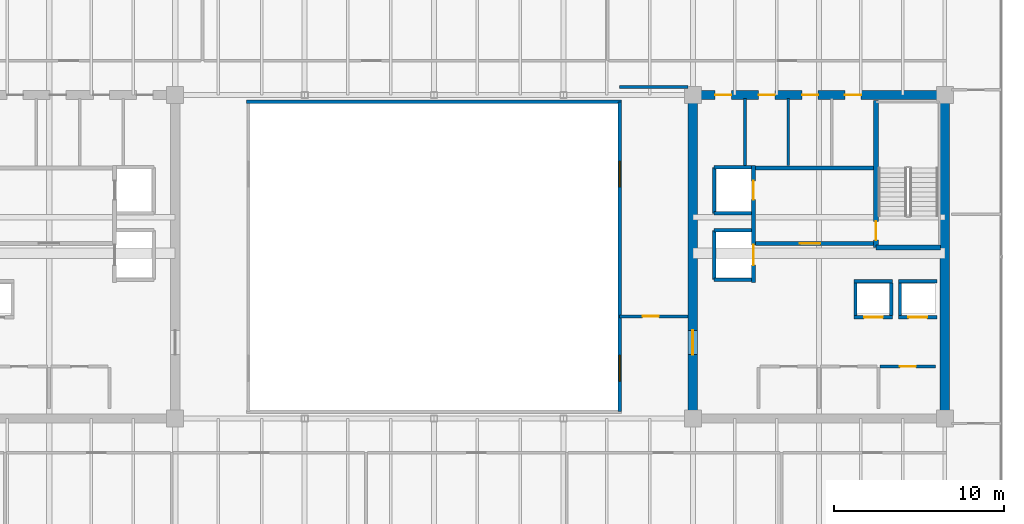
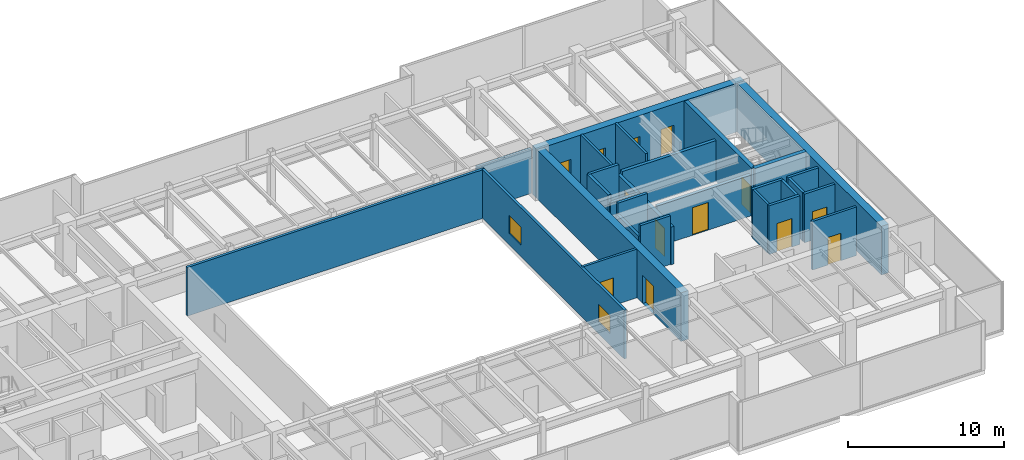
# One storey, part 30 of 33: 28 walls, 13 doors, 2 windows, 15 openings.
"""IFC4 building model written with IfcOpenShell, lengths in metres."""

from ifc_helpers import new_model, si_unit, direction, frame, frame_2d, origin, place, context, subcontext, project, spatial, rectangle, extrude, source, transform, mapped, material, layer, layer_set, type_object, type_shapes, element, fill, save


model = new_model("IFC4")

# Units and contexts
model_context = context("Model", 3, precision=1e-05, world=origin(), true_north=direction((0.0, 1.0)))
body_context = subcontext(model_context, "Body", "Model", "MODEL_VIEW")
ifc_project = project(units=[si_unit("LENGTHUNIT", "METRE"), si_unit("AREAUNIT", "SQUARE_METRE"), si_unit("VOLUMEUNIT", "CUBIC_METRE"), si_unit("PLANEANGLEUNIT", "RADIAN"), si_unit("MASSUNIT", "GRAM", prefix="KILO")], contexts=[model_context])

# Site, building, storey
site_placement = place(None, origin())
site = spatial("IfcSite", under=ifc_project, at=site_placement, CompositionType="ELEMENT")
building_placement = place(site_placement, origin())
building = spatial("IfcBuilding", under=site, at=building_placement, Name="Haelvirn Gate Laboratories", CompositionType="ELEMENT")
storey_placement = place(building_placement, frame((0.0, 0.0, 209.60009765625)))
storey = spatial("IfcBuildingStorey", under=building, at=storey_placement, Name="L50", CompositionType="ELEMENT", Elevation=209.60009765625)

# Wall
ifc_material_1 = material(Name="Fire-rated acoustic gypsum board partition", Category="gypsum")
ifc_layer_1 = layer(ifc_material_1, 0.175048828125, Name="IW-ACOUST-180")
ifc_layer_set_1 = layer_set([ifc_layer_1], Name="Fire-rated acoustic gypsum board partition")
wall_type_1 = type_object("IfcWallType", Name="IW-ACOUST-180", PredefinedType="PARTITIONING", material=ifc_layer_set_1)
wall_1_placement = place(storey_placement, frame((48.300048828125, 34.260009765625, 0.0), z_axis=(0.0, 0.0, 1.0), x_axis=(1.0, 0.0, 0.0)))
element("IfcWall", 1, at=wall_1_placement, inside=storey, type_object=wall_type_1, Name="L50 Interior Wall IW-L50-EPOD-N", PredefinedType="PARTITIONING", context=body_context, shape_type="SweptSolid", body=[
    extrude(rectangle(XDim=4.02490234375, YDim=0.175048828125, at=frame_2d((2.012451171875, 0.0))), origin(), (0.0, 0.0, 1.0), 3.48486328125),
])

# Wall, opening, door
wall_2_placement = place(storey_placement, frame((48.300048828125, 20.800048828125, 0.0), z_axis=(0.0, 0.0, 1.0), x_axis=(1.0, 0.0, 0.0)))
wall_2 = element("IfcWall", 2, at=wall_2_placement, inside=storey, type_object=wall_type_1, Name="L50 Interior Wall IW-L50-EPOD-S", PredefinedType="PARTITIONING", context=body_context, shape_type="SweptSolid", body=[
    extrude(rectangle(XDim=4.02490234375, YDim=0.175048828125, at=frame_2d((2.012451171875, 0.0))), origin(), (0.0, 0.0, 1.0), 3.7998046875),
])
opening_1_placement = place(wall_2_placement, frame((1.35009765625, 0.0, 0.0)))
opening_1 = element("IfcOpeningElement", 3, at=opening_1_placement, cuts=wall_2, Name="Opening FD4", PredefinedType="OPENING", context=body_context, shape_type="SweptSolid", body=[
    extrude(rectangle(XDim=0.949951171875, YDim=2.14990234375, at=frame_2d((0.47509765625, 1.074951171875))), frame((0.0, 0.09765625, 0.0), z_axis=(0.0, -1.0, 0.0), x_axis=(1.0, 0.0, 0.0)), (0.0, 0.0, 1.0), 0.195068359375),
])
ifc_material_2 = material(Name="Fire-rated steel SM355 core service door", Category="steel")
door_type_1 = type_object("IfcDoorType", Name="DR-FD-950", OperationType="NOTDEFINED", PredefinedType="DOOR", material=ifc_material_2)
shared_shape_1 = source(origin(), body_context, "Body", "SweptSolid", [
    extrude(rectangle(XDim=0.949951171875, YDim=2.14990234375, at=frame_2d((0.47509765625, 1.074951171875))), frame((0.0, 0.02490234375, 0.0), z_axis=(0.0, -1.0, 0.0), x_axis=(1.0, 0.0, 0.0)), (0.0, 0.0, 1.0), 0.050048828125),
])
type_shapes(door_type_1, [shared_shape_1])
door_1_placement = place(opening_1_placement, origin())
door_1 = element("IfcDoor", 4, at=door_1_placement, inside=storey, type_object=door_type_1, Name="L50 High-Zone Collaboration Suite Door", OperationType="SINGLE_SWING_LEFT", OverallHeight=2.14990234375, OverallWidth=0.949951171875, PredefinedType="DOOR", context=body_context, shape_type="MappedRepresentation", body=[
    mapped(shared_shape_1, transform((0.0, 0.0, 0.0), scale=1.0)),
])
fill(opening_1, door_1)

# Wall, openings, windows
ifc_material_3 = material(Name="Tempered fire-rated borosilicate glass & anodised aluminium", Category="aluminium")
ifc_layer_2 = layer(ifc_material_3, 0.195068359375, Name="IW-GLAZ-200")
ifc_layer_set_2 = layer_set([ifc_layer_2], Name="Tempered fire-rated borosilicate glass & anodised aluminium")
wall_type_2 = type_object("IfcWallType", Name="IW-GLAZ-200", PredefinedType="SOLIDWALL", material=ifc_layer_set_2)
wall_3_placement = place(storey_placement, frame((48.300048828125, 15.199951171875, 0.0), z_axis=(0.0, 0.0, 1.0), x_axis=(0.0, 1.0, 0.0)))
wall_3 = element("IfcWall", 5, at=wall_3_placement, inside=storey, type_object=wall_type_2, Name="L50 Interior Wall IW-L50-ATRIUM-E", PredefinedType="SOLIDWALL", context=body_context, shape_type="SweptSolid", body=[
    extrude(rectangle(XDim=18.199951171875, YDim=0.195068359375, at=frame_2d((9.10009765625, 0.0))), origin(), (0.0, 0.0, 1.0), 3.7998046875),
])
opening_2_placement = place(wall_3_placement, frame((1.800048828125, 0.0, 0.89990234375)))
opening_2 = element("IfcOpeningElement", 6, at=opening_2_placement, cuts=wall_3, Name="Opening W5", PredefinedType="OPENING", context=body_context, shape_type="SweptSolid", body=[
    extrude(rectangle(XDim=1.5, YDim=1.39990234375, at=frame_2d((0.75, 0.699951171875))), frame((0.0, 0.107421875, 0.0), z_axis=(0.0, -1.0, 0.0), x_axis=(1.0, 0.0, 0.0)), (0.0, 0.0, 1.0), 0.215087890625),
])
opening_3_placement = place(wall_3_placement, frame((13.199951171875, 0.0, 0.89990234375)))
opening_3 = element("IfcOpeningElement", 7, at=opening_3_placement, cuts=wall_3, Name="Opening W5", PredefinedType="OPENING", context=body_context, shape_type="SweptSolid", body=[
    extrude(rectangle(XDim=1.5, YDim=1.39990234375, at=frame_2d((0.75, 0.699951171875))), frame((0.0, 0.107421875, 0.0), z_axis=(0.0, -1.0, 0.0), x_axis=(1.0, 0.0, 0.0)), (0.0, 0.0, 1.0), 0.215087890625),
])
ifc_material_4 = material(Name="Fire-rated EI 120 borosilicate atrium vision glazing", Category="glass")
window_type = type_object("IfcWindowType", Name="WN-ATR-1500", PartitioningType="SINGLE_PANEL", PredefinedType="WINDOW", material=ifc_material_4)
shared_shape_2 = source(origin(), body_context, "Body", "SweptSolid", [
    extrude(rectangle(XDim=1.5, YDim=1.39990234375, at=frame_2d((0.75, 0.699951171875))), frame((0.0, 0.030029296875, 0.0), z_axis=(0.0, -1.0, 0.0), x_axis=(1.0, 0.0, 0.0)), (0.0, 0.0, 1.0), 0.06005859375),
])
type_shapes(window_type, [shared_shape_2])
window_1_placement = place(opening_2_placement, origin())
window_1 = element("IfcWindow", 8, at=window_1_placement, inside=storey, type_object=window_type, Name="L50 Atrium Observation Window 1", OverallHeight=1.39990234375, OverallWidth=1.5, PartitioningType="SINGLE_PANEL", PredefinedType="WINDOW", context=body_context, shape_type="MappedRepresentation", body=[
    mapped(shared_shape_2, transform((0.0, 0.0, 0.0), scale=1.0)),
])
fill(opening_2, window_1)
window_2_placement = place(opening_3_placement, origin())
window_2 = element("IfcWindow", 9, at=window_2_placement, inside=storey, type_object=window_type, Name="L50 Atrium Observation Window 2", OverallHeight=1.39990234375, OverallWidth=1.5, PartitioningType="SINGLE_PANEL", PredefinedType="WINDOW", context=body_context, shape_type="MappedRepresentation", body=[
    mapped(shared_shape_2, transform((0.0, 0.0, 0.0), scale=1.0)),
])
fill(opening_3, window_2)

# Walls
wall_4_placement = place(storey_placement, frame((26.39990234375, 33.39990234375, 0.0), z_axis=(0.0, 0.0, 1.0), x_axis=(1.0, 0.0, 0.0)))
element("IfcWall", 10, at=wall_4_placement, inside=storey, type_object=wall_type_2, Name="L50 Interior Wall IW-L50-ATRIUM-N", PredefinedType="SOLIDWALL", context=body_context, shape_type="SweptSolid", body=[
    extrude(rectangle(XDim=22.0, YDim=0.195068359375, at=frame_2d((11.0, 0.0))), origin(), (0.0, 0.0, 1.0), 3.7998046875),
])
ifc_material_5 = material(Name="Cement-board restroom plumbing chase wall", Category="gypsum")
ifc_layer_3 = layer(ifc_material_5, 0.155029296875, Name="IW-PLUMB-160")
ifc_layer_set_3 = layer_set([ifc_layer_3], Name="Cement-board restroom plumbing chase wall")
wall_type_3 = type_object("IfcWallType", Name="IW-PLUMB-160", PredefinedType="PLUMBINGWALL", material=ifc_layer_set_3)
for number, where, z_axis, x_axis, name in (
    (11, (58.2099609375, 29.64990234375, 0.0), (0.0, 0.0, 1.0), (0.0, 1.0, 0.0), "L50 Interior Wall IW-L50-E-CDIV-2"),
    (12, (55.659912109375, 29.64990234375, 0.0), (0.0, 0.0, 1.0), (0.0, 1.0, 0.0), "L50 Interior Wall IW-L50-E-CDIV-3"),
):
    element("IfcWall", number, at=place(storey_placement, frame(where, z_axis=z_axis, x_axis=x_axis)), inside=storey, type_object=wall_type_3, Name=name, PredefinedType="PLUMBINGWALL", context=body_context, shape_type="SweptSolid", body=[
        extrude(rectangle(XDim=3.93017578125, YDim=0.155029296875, at=frame_2d((1.965087890625, 0.0))), origin(), (0.0, 0.0, 1.0), 3.7998046875),
    ])
ifc_material_6 = material(Name="Concrete C40/50", Category="concrete")
ifc_layer_4 = layer(ifc_material_6, 0.179931640625, Name="IW-SHAFT-180")
ifc_layer_set_4 = layer_set([ifc_layer_4], Name="Concrete C40/50")
wall_type_4 = type_object("IfcWallType", Name="IW-SHAFT-180", PredefinedType="SOLIDWALL", material=ifc_layer_set_4)
for number, where, z_axis, x_axis, name in (
    (13, (64.75, 20.85009765625, 0.0), (0.0, 0.0, 1.0), (0.0, 1.0, 0.0), "L50 Interior Wall IW-L50-PL11-SD"),
    (14, (62.14990234375, 20.85009765625, 0.0), (0.0, 0.0, 1.0), (0.0, 1.0, 0.0), "L50 Interior Wall IW-L50-PL12-SD"),
    (15, (64.25, 20.85009765625, 0.0), (0.0, 0.0, 1.0), (0.0, 1.0, 0.0), "L50 Interior Wall IW-L50-PL12-SDE"),
):
    element("IfcWall", number, at=place(storey_placement, frame(where, z_axis=z_axis, x_axis=x_axis)), inside=storey, type_object=wall_type_4, Name=name, PredefinedType="SOLIDWALL", context=body_context, shape_type="SweptSolid", body=[
        extrude(rectangle(XDim=1.89990234375, YDim=0.179931640625, at=frame_2d((0.949951171875, 0.0))), origin(), (0.0, 0.0, 1.0), 3.7998046875),
    ])

# Wall, opening, door
wall_5_placement = place(storey_placement, frame((63.60009765625, 17.85009765625, 0.0), z_axis=(0.0, 0.0, 1.0), x_axis=(1.0, 0.0, 0.0)))
wall_5 = element("IfcWall", 16, at=wall_5_placement, inside=storey, type_object=wall_type_4, Name="L50 Interior Wall IW-L50-E-FREED-HN-1", PredefinedType="SOLIDWALL", context=body_context, shape_type="SweptSolid", body=[
    extrude(rectangle(XDim=3.25, YDim=0.179931640625, at=frame_2d((1.625, 0.0))), origin(), (0.0, 0.0, 1.0), 3.7998046875),
])
opening_4_placement = place(wall_5_placement, frame((1.14990234375, 0.0, 0.0)))
opening_4 = element("IfcOpeningElement", 17, at=opening_4_placement, cuts=wall_5, Name="Opening FD4", PredefinedType="OPENING", context=body_context, shape_type="SweptSolid", body=[
    extrude(rectangle(XDim=0.949951171875, YDim=2.14990234375, at=frame_2d((0.47509765625, 1.074951171875))), frame((0.0, 0.10009765625, 0.0), z_axis=(0.0, -1.0, 0.0), x_axis=(1.0, 0.0, 0.0)), (0.0, 0.0, 1.0), 0.199951171875),
])
door_2_placement = place(opening_4_placement, origin())
door_2 = element("IfcDoor", 18, at=door_2_placement, inside=storey, type_object=door_type_1, Name="L50 Autoclave Bio-Prep Room Door", OperationType="SINGLE_SWING_LEFT", OverallHeight=2.14990234375, OverallWidth=0.949951171875, PredefinedType="DOOR", context=body_context, shape_type="MappedRepresentation", body=[
    mapped(shared_shape_1, transform((0.0, 0.0, 0.0), scale=1.0)),
])
fill(opening_4, door_2)

ifc_layer_5 = layer(ifc_material_6, 0.199951171875, Name="IW-SHAFT-200")
ifc_layer_set_5 = layer_set([ifc_layer_5], Name="Concrete C40/50")
wall_type_5 = type_object("IfcWallType", Name="IW-SHAFT-200", PredefinedType="SOLIDWALL", material=ifc_layer_set_5)
wall_6_placement = place(storey_placement, frame((64.669921875, 20.75, 0.0), z_axis=(0.0, 0.0, 1.0), x_axis=(1.0, 0.0, 0.0)))
wall_6 = element("IfcWall", 19, at=wall_6_placement, inside=storey, type_object=wall_type_5, Name="L50 Interior Wall IW-L50-PL11-FR", PredefinedType="SOLIDWALL", context=body_context, shape_type="SweptSolid", body=[
    extrude(rectangle(XDim=2.260009765625, YDim=0.199951171875, at=frame_2d((1.1298828125, 0.0))), origin(), (0.0, 0.0, 1.0), 3.7998046875),
])
opening_5_placement = place(wall_6_placement, frame((0.580078125, 0.0, 0.0)))
opening_5 = element("IfcOpeningElement", 20, at=opening_5_placement, cuts=wall_6, Name="Opening LD2", PredefinedType="OPENING", context=body_context, shape_type="SweptSolid", body=[
    extrude(rectangle(XDim=1.10009765625, YDim=2.219970703125, at=frame_2d((0.550048828125, 1.10986328125))), frame((0.0, 0.10986328125, 0.0), z_axis=(0.0, -1.0, 0.0), x_axis=(1.0, 0.0, 0.0)), (0.0, 0.0, 1.0), 0.219970703125),
])
ifc_material_7 = material(Name="Bronze stainless 316L sliding lift landing door")
door_type_2 = type_object("IfcDoorType", Name="DR-LD-1100", OperationType="NOTDEFINED", PredefinedType="USERDEFINED", material=ifc_material_7)
shared_shape_3 = source(origin(), body_context, "Body", "SweptSolid", [
    extrude(rectangle(XDim=1.10009765625, YDim=2.219970703125, at=frame_2d((0.550048828125, 1.10986328125))), frame((0.0, 0.02490234375, 0.0), z_axis=(0.0, -1.0, 0.0), x_axis=(1.0, 0.0, 0.0)), (0.0, 0.0, 1.0), 0.050048828125),
])
type_shapes(door_type_2, [shared_shape_3])
door_3_placement = place(opening_5_placement, origin())
door_3 = element("IfcDoor", 21, at=door_3_placement, inside=storey, type_object=door_type_2, Name="L50 Passenger Lift PL11 Landing Door", ObjectType="LANDING_DOOR", OperationType="SLIDING_TO_LEFT", OverallHeight=2.219970703125, OverallWidth=1.10009765625, PredefinedType="USERDEFINED", context=body_context, shape_type="MappedRepresentation", body=[
    mapped(shared_shape_3, transform((0.0, 0.0, 0.0), scale=1.0)),
])
fill(opening_5, door_3)

# Wall
wall_7_placement = place(storey_placement, frame((64.669921875, 22.85009765625, 0.0), z_axis=(0.0, 0.0, 1.0), x_axis=(1.0, 0.0, 0.0)))
element("IfcWall", 22, at=wall_7_placement, inside=storey, type_object=wall_type_5, Name="L50 Interior Wall IW-L50-PL11-BK", PredefinedType="SOLIDWALL", context=body_context, shape_type="SweptSolid", body=[
    extrude(rectangle(XDim=2.260009765625, YDim=0.199951171875, at=frame_2d((1.1298828125, 0.0))), origin(), (0.0, 0.0, 1.0), 3.7998046875),
])

# Wall, opening, door
wall_8_placement = place(storey_placement, frame((62.070068359375, 20.75, 0.0), z_axis=(0.0, 0.0, 1.0), x_axis=(1.0, 0.0, 0.0)))
wall_8 = element("IfcWall", 23, at=wall_8_placement, inside=storey, type_object=wall_type_5, Name="L50 Interior Wall IW-L50-PL12-FR", PredefinedType="SOLIDWALL", context=body_context, shape_type="SweptSolid", body=[
    extrude(rectangle(XDim=2.260009765625, YDim=0.199951171875, at=frame_2d((1.1298828125, 0.0))), origin(), (0.0, 0.0, 1.0), 3.7998046875),
])
opening_6_placement = place(wall_8_placement, frame((0.580078125, 0.0, 0.0)))
opening_6 = element("IfcOpeningElement", 24, at=opening_6_placement, cuts=wall_8, Name="Opening LD2", PredefinedType="OPENING", context=body_context, shape_type="SweptSolid", body=[
    extrude(rectangle(XDim=1.10009765625, YDim=2.219970703125, at=frame_2d((0.550048828125, 1.10986328125))), frame((0.0, 0.10986328125, 0.0), z_axis=(0.0, -1.0, 0.0), x_axis=(1.0, 0.0, 0.0)), (0.0, 0.0, 1.0), 0.219970703125),
])
door_4_placement = place(opening_6_placement, origin())
door_4 = element("IfcDoor", 25, at=door_4_placement, inside=storey, type_object=door_type_2, Name="L50 Passenger Lift PL12 Landing Door", ObjectType="LANDING_DOOR", OperationType="SLIDING_TO_RIGHT", OverallHeight=2.219970703125, OverallWidth=1.10009765625, PredefinedType="USERDEFINED", context=body_context, shape_type="MappedRepresentation", body=[
    mapped(shared_shape_3, transform((0.0, 0.0, 0.0), scale=1.0)),
])
fill(opening_6, door_4)

# Walls
wall_9_placement = place(storey_placement, frame((62.070068359375, 22.85009765625, 0.0), z_axis=(0.0, 0.0, 1.0), x_axis=(1.0, 0.0, 0.0)))
element("IfcWall", 26, at=wall_9_placement, inside=storey, type_object=wall_type_5, Name="L50 Interior Wall IW-L50-PL12-BK", PredefinedType="SOLIDWALL", context=body_context, shape_type="SweptSolid", body=[
    extrude(rectangle(XDim=2.260009765625, YDim=0.199951171875, at=frame_2d((1.1298828125, 0.0))), origin(), (0.0, 0.0, 1.0), 3.7998046875),
])
wall_10_placement = place(storey_placement, frame((53.85009765625, 26.85009765625, 0.0), z_axis=(0.0, 0.0, 1.0), x_axis=(0.0, 1.0, 0.0)))
element("IfcWall", 27, at=wall_10_placement, inside=storey, type_object=wall_type_5, Name="L50 Interior Wall IW-L50-FL2-BK", PredefinedType="SOLIDWALL", context=body_context, shape_type="SweptSolid", body=[
    extrude(rectangle(XDim=2.699951171875, YDim=0.199951171875, at=frame_2d((1.35009765625, 0.0))), origin(), (0.0, 0.0, 1.0), 3.7998046875),
])
wall_11_placement = place(storey_placement, frame((53.85009765625, 29.550048828125, 0.0), z_axis=(0.0, 0.0, 1.0), x_axis=(1.0, 0.0, 0.0)))
element("IfcWall", 28, at=wall_11_placement, inside=storey, type_object=wall_type_5, Name="L50 Interior Wall IW-L50-FL2-N", PredefinedType="SOLIDWALL", context=body_context, shape_type="SweptSolid", body=[
    extrude(rectangle(XDim=2.18994140625, YDim=0.199951171875, at=frame_2d((1.094970703125, 0.0))), origin(), (0.0, 0.0, 1.0), 3.7998046875),
])
wall_12_placement = place(storey_placement, frame((53.85009765625, 26.85009765625, 0.0), z_axis=(0.0, 0.0, 1.0), x_axis=(1.0, 0.0, 0.0)))
element("IfcWall", 29, at=wall_12_placement, inside=storey, type_object=wall_type_5, Name="L50 Interior Wall IW-L50-FL2-S", PredefinedType="SOLIDWALL", context=body_context, shape_type="SweptSolid", body=[
    extrude(rectangle(XDim=2.18994140625, YDim=0.199951171875, at=frame_2d((1.094970703125, 0.0))), origin(), (0.0, 0.0, 1.0), 3.197021484375),
])
wall_13_placement = place(storey_placement, frame((53.85009765625, 22.949951171875, 0.0), z_axis=(0.0, 0.0, 1.0), x_axis=(0.0, 1.0, 0.0)))
element("IfcWall", 30, at=wall_13_placement, inside=storey, type_object=wall_type_5, Name="L50 Interior Wall IW-L50-SL2-BK", PredefinedType="SOLIDWALL", context=body_context, shape_type="SweptSolid", body=[
    extrude(rectangle(XDim=2.900146484375, YDim=0.199951171875, at=frame_2d((1.4501953125, 0.0))), origin(), (0.0, 0.0, 1.0), 2.934814453125),
])
for number, where, z_axis, x_axis, name in (
    (31, (53.85009765625, 25.85009765625, 0.0), (0.0, 0.0, 1.0), (1.0, 0.0, 0.0), "L50 Interior Wall IW-L50-SL2-N"),
    (32, (53.85009765625, 22.949951171875, 0.0), (0.0, 0.0, 1.0), (1.0, 0.0, 0.0), "L50 Interior Wall IW-L50-SL2-S"),
):
    element("IfcWall", number, at=place(storey_placement, frame(where, z_axis=z_axis, x_axis=x_axis)), inside=storey, type_object=wall_type_5, Name=name, PredefinedType="SOLIDWALL", context=body_context, shape_type="SweptSolid", body=[
        extrude(rectangle(XDim=2.18994140625, YDim=0.199951171875, at=frame_2d((1.094970703125, 0.0))), origin(), (0.0, 0.0, 1.0), 3.7998046875),
    ])

# Wall, opening, door
ifc_layer_6 = layer(ifc_material_6, 0.239990234375, Name="IW-SHAFT-240")
ifc_layer_set_6 = layer_set([ifc_layer_6], Name="Concrete C40/50")
wall_type_6 = type_object("IfcWallType", Name="IW-SHAFT-240", PredefinedType="SOLIDWALL", material=ifc_layer_set_6)
wall_14_placement = place(storey_placement, frame((56.280029296875, 25.080078125, 0.0), z_axis=(0.0, 0.0, 1.0), x_axis=(1.0, 0.0, 0.0)))
wall_14 = element("IfcWall", 33, at=wall_14_placement, inside=storey, type_object=wall_type_6, Name="L50 Interior Wall IW-L50-E-FF-S", PredefinedType="SOLIDWALL", context=body_context, shape_type="SweptSolid", body=[
    extrude(rectangle(XDim=6.919921875, YDim=0.239990234375, at=frame_2d((3.4599609375, 0.0))), origin(), (0.0, 0.0, 1.0), 3.197021484375),
])
opening_7_placement = place(wall_14_placement, frame((2.60009765625, 0.0, 0.0)))
opening_7 = element("IfcOpeningElement", 34, at=opening_7_placement, cuts=wall_14, Name="Opening FD2", PredefinedType="OPENING", context=body_context, shape_type="SweptSolid", body=[
    extrude(rectangle(XDim=1.199951171875, YDim=2.159912109375, at=frame_2d((0.60009765625, 1.080078125))), frame((0.0, 0.1298828125, 0.0), z_axis=(0.0, -1.0, 0.0), x_axis=(1.0, 0.0, 0.0)), (0.0, 0.0, 1.0), 0.260009765625),
])
ifc_material_8 = material(Name="Fire-rated steel SM355 compartment door", Category="steel")
door_type_3 = type_object("IfcDoorType", Name="DR-FD-1200", OperationType="NOTDEFINED", PredefinedType="DOOR", material=ifc_material_8)
shared_shape_4 = source(origin(), body_context, "Body", "SweptSolid", [
    extrude(rectangle(XDim=1.199951171875, YDim=2.159912109375, at=frame_2d((0.60009765625, 1.080078125))), frame((0.0, 0.02490234375, 0.0), z_axis=(0.0, -1.0, 0.0), x_axis=(1.0, 0.0, 0.0)), (0.0, 0.0, 1.0), 0.050048828125),
])
type_shapes(door_type_3, [shared_shape_4])
door_5_placement = place(opening_7_placement, origin())
door_5 = element("IfcDoor", 35, at=door_5_placement, inside=storey, type_object=door_type_3, Name="L50 East Firefighting Lobby Door", OperationType="SINGLE_SWING_LEFT", OverallHeight=2.159912109375, OverallWidth=1.199951171875, PredefinedType="DOOR", context=body_context, shape_type="MappedRepresentation", body=[
    mapped(shared_shape_4, transform((0.0, 0.0, 0.0), scale=1.0)),
])
fill(opening_7, door_5)

# Wall
wall_15_placement = place(storey_placement, frame((56.280029296875, 29.52001953125, 0.0), z_axis=(0.0, 0.0, 1.0), x_axis=(1.0, 0.0, 0.0)))
element("IfcWall", 36, at=wall_15_placement, inside=storey, type_object=wall_type_6, Name="L50 Interior Wall IW-L50-E-FF-N", PredefinedType="SOLIDWALL", context=body_context, shape_type="SweptSolid", body=[
    extrude(rectangle(XDim=6.919921875, YDim=0.239990234375, at=frame_2d((3.4599609375, 0.0))), origin(), (0.0, 0.0, 1.0), 3.197021484375),
])

# Wall, openings, doors
wall_16_placement = place(storey_placement, frame((56.159912109375, 22.800048828125, 0.0), z_axis=(0.0, 0.0, 1.0), x_axis=(0.0, 1.0, 0.0)))
wall_16 = element("IfcWall", 37, at=wall_16_placement, inside=storey, type_object=wall_type_6, Name="L50 Interior Wall IW-L50-E-FF-E", PredefinedType="SOLIDWALL", context=body_context, shape_type="SweptSolid", body=[
    extrude(rectangle(XDim=6.849853515625, YDim=0.239990234375, at=frame_2d((3.4248046875, 0.0))), origin(), (0.0, 0.0, 1.0), 2.934814453125),
])
opening_8_placement = place(wall_16_placement, frame((4.85009765625, 0.0, 0.0)))
opening_8 = element("IfcOpeningElement", 38, at=opening_8_placement, cuts=wall_16, Name="Opening LD2", PredefinedType="OPENING", context=body_context, shape_type="SweptSolid", body=[
    extrude(rectangle(XDim=1.10009765625, YDim=2.219970703125, at=frame_2d((0.550048828125, 1.10986328125))), frame((0.0, 0.1298828125, 0.0), z_axis=(0.0, -1.0, 0.0), x_axis=(1.0, 0.0, 0.0)), (0.0, 0.0, 1.0), 0.260009765625),
])
opening_9_placement = place(wall_16_placement, frame((1.0, 0.0, 0.0)))
opening_9 = element("IfcOpeningElement", 39, at=opening_9_placement, cuts=wall_16, Name="Opening LD1", PredefinedType="OPENING", context=body_context, shape_type="SweptSolid", body=[
    extrude(rectangle(XDim=1.199951171875, YDim=2.219970703125, at=frame_2d((0.60009765625, 1.10986328125))), frame((0.0, 0.1298828125, 0.0), z_axis=(0.0, -1.0, 0.0), x_axis=(1.0, 0.0, 0.0)), (0.0, 0.0, 1.0), 0.260009765625),
])
door_6_placement = place(opening_8_placement, origin())
door_6 = element("IfcDoor", 40, at=door_6_placement, inside=storey, type_object=door_type_2, Name="L50 Firefighting Lift FL2 Landing Door", ObjectType="LANDING_DOOR", OperationType="SLIDING_TO_RIGHT", OverallHeight=2.219970703125, OverallWidth=1.10009765625, PredefinedType="USERDEFINED", context=body_context, shape_type="MappedRepresentation", body=[
    mapped(shared_shape_3, transform((0.0, 0.0, 0.0), scale=1.0)),
])
fill(opening_8, door_6)
ifc_material_9 = material(Name="Stainless steel 316L sliding goods landing door", Category="steel")
door_type_4 = type_object("IfcDoorType", Name="DR-LD-1200", OperationType="NOTDEFINED", PredefinedType="USERDEFINED", material=ifc_material_9)
shared_shape_5 = source(origin(), body_context, "Body", "SweptSolid", [
    extrude(rectangle(XDim=1.199951171875, YDim=2.219970703125, at=frame_2d((0.60009765625, 1.10986328125))), frame((0.0, 0.02490234375, 0.0), z_axis=(0.0, -1.0, 0.0), x_axis=(1.0, 0.0, 0.0)), (0.0, 0.0, 1.0), 0.050048828125),
])
type_shapes(door_type_4, [shared_shape_5])
door_7_placement = place(opening_9_placement, origin())
door_7 = element("IfcDoor", 41, at=door_7_placement, inside=storey, type_object=door_type_4, Name="L50 Service Lift SL2 Landing Door", ObjectType="LANDING_DOOR", OperationType="SLIDING_TO_LEFT", OverallHeight=2.219970703125, OverallWidth=1.199951171875, PredefinedType="USERDEFINED", context=body_context, shape_type="MappedRepresentation", body=[
    mapped(shared_shape_5, transform((0.0, 0.0, 0.0), scale=1.0)),
])
fill(opening_9, door_7)

ifc_material_10 = material(Name="Concrete C50/60", Category="concrete")
ifc_layer_7 = layer(ifc_material_10, 0.550048828125, Name="SW-CORE-550")
ifc_layer_set_7 = layer_set([ifc_layer_7], Name="Concrete C50/60")
wall_type_7 = type_object("IfcWallType", Name="SW-CORE-550", PredefinedType="SHEAR", material=ifc_layer_set_7)
wall_17_placement = place(storey_placement, frame((52.324951171875, 33.800048828125, 0.0), z_axis=(0.0, 0.0, 1.0), x_axis=(1.0, 0.0, 0.0)))
wall_17 = element("IfcWall", 42, at=wall_17_placement, inside=storey, type_object=wall_type_7, Name="L50 E Core Shear Wall N", PredefinedType="SHEAR", context=body_context, shape_type="SweptSolid", body=[
    extrude(rectangle(XDim=15.35009765625, YDim=0.550048828125, at=frame_2d((7.675048828125, 0.0))), origin(), (0.0, 0.0, 1.0), 3.7998046875),
])
opening_10_placement = place(wall_17_placement, frame((9.199951171875, 0.0, 0.0)))
opening_10 = element("IfcOpeningElement", 43, at=opening_10_placement, cuts=wall_17, Name="Opening FD4", PredefinedType="OPENING", context=body_context, shape_type="SweptSolid", body=[
    extrude(rectangle(XDim=0.949951171875, YDim=2.14990234375, at=frame_2d((0.47509765625, 1.074951171875))), frame((0.0, 0.28515625, 0.0), z_axis=(0.0, -1.0, 0.0), x_axis=(1.0, 0.0, 0.0)), (0.0, 0.0, 1.0), 0.570068359375),
])
opening_11_placement = place(wall_17_placement, frame((6.68505859375, 0.0, 0.0)))
opening_11 = element("IfcOpeningElement", 44, at=opening_11_placement, cuts=wall_17, Name="Opening FD4", PredefinedType="OPENING", context=body_context, shape_type="SweptSolid", body=[
    extrude(rectangle(XDim=0.949951171875, YDim=2.14990234375, at=frame_2d((0.47509765625, 1.074951171875))), frame((0.0, 0.28515625, 0.0), z_axis=(0.0, -1.0, 0.0), x_axis=(1.0, 0.0, 0.0)), (0.0, 0.0, 1.0), 0.570068359375),
])
opening_12_placement = place(wall_17_placement, frame((4.135009765625, 0.0, 0.0)))
opening_12 = element("IfcOpeningElement", 45, at=opening_12_placement, cuts=wall_17, Name="Opening FD4", PredefinedType="OPENING", context=body_context, shape_type="SweptSolid", body=[
    extrude(rectangle(XDim=0.949951171875, YDim=2.14990234375, at=frame_2d((0.47509765625, 1.074951171875))), frame((0.0, 0.28515625, 0.0), z_axis=(0.0, -1.0, 0.0), x_axis=(1.0, 0.0, 0.0)), (0.0, 0.0, 1.0), 0.570068359375),
])
opening_13_placement = place(wall_17_placement, frame((1.5849609375, 0.0, 0.0)))
opening_13 = element("IfcOpeningElement", 46, at=opening_13_placement, cuts=wall_17, Name="Opening FD4", PredefinedType="OPENING", context=body_context, shape_type="SweptSolid", body=[
    extrude(rectangle(XDim=0.949951171875, YDim=2.14990234375, at=frame_2d((0.47509765625, 1.074951171875))), frame((0.0, 0.28515625, 0.0), z_axis=(0.0, -1.0, 0.0), x_axis=(1.0, 0.0, 0.0)), (0.0, 0.0, 1.0), 0.570068359375),
])
door_8_placement = place(opening_10_placement, origin())
door_8 = element("IfcDoor", 47, at=door_8_placement, inside=storey, type_object=door_type_1, Name="L50 Male Restroom Fire Door", OperationType="SINGLE_SWING_LEFT", OverallHeight=2.14990234375, OverallWidth=0.949951171875, PredefinedType="DOOR", context=body_context, shape_type="MappedRepresentation", body=[
    mapped(shared_shape_1, transform((0.0, 0.0, 0.0), scale=1.0)),
])
fill(opening_10, door_8)
door_9_placement = place(opening_11_placement, origin())
door_9 = element("IfcDoor", 48, at=door_9_placement, inside=storey, type_object=door_type_1, Name="L50 Female Restroom Fire Door", OperationType="SINGLE_SWING_RIGHT", OverallHeight=2.14990234375, OverallWidth=0.949951171875, PredefinedType="DOOR", context=body_context, shape_type="MappedRepresentation", body=[
    mapped(shared_shape_1, transform((0.0, 0.0, 0.0), scale=1.0)),
])
fill(opening_11, door_9)
door_10_placement = place(opening_12_placement, origin())
door_10 = element("IfcDoor", 49, at=door_10_placement, inside=storey, type_object=door_type_1, Name="L50 Accessible Restroom Fire Door", OperationType="SINGLE_SWING_LEFT", OverallHeight=2.14990234375, OverallWidth=0.949951171875, PredefinedType="DOOR", context=body_context, shape_type="MappedRepresentation", body=[
    mapped(shared_shape_1, transform((0.0, 0.0, 0.0), scale=1.0)),
])
fill(opening_12, door_10)
door_11_placement = place(opening_13_placement, origin())
door_11 = element("IfcDoor", 50, at=door_11_placement, inside=storey, type_object=door_type_1, Name="L50 Decontamination Shower Washroom Fire Door", OperationType="SINGLE_SWING_RIGHT", OverallHeight=2.14990234375, OverallWidth=0.949951171875, PredefinedType="DOOR", context=body_context, shape_type="MappedRepresentation", body=[
    mapped(shared_shape_1, transform((0.0, 0.0, 0.0), scale=1.0)),
])
fill(opening_13, door_11)

# Wall, opening, door
wall_18_placement = place(storey_placement, frame((52.60009765625, 15.074951171875, 0.0), z_axis=(0.0, 0.0, 1.0), x_axis=(0.0, 1.0, 0.0)))
wall_18 = element("IfcWall", 51, at=wall_18_placement, inside=storey, type_object=wall_type_7, Name="L50 E Core Shear Wall W", PredefinedType="SHEAR", context=body_context, shape_type="SweptSolid", body=[
    extrude(rectangle(XDim=18.449951171875, YDim=0.550048828125, at=frame_2d((9.22509765625, 0.0))), origin(), (0.0, 0.0, 1.0), 3.7998046875),
])
opening_14_placement = place(wall_18_placement, frame((3.47509765625, 0.0, 0.0)))
opening_14 = element("IfcOpeningElement", 52, at=opening_14_placement, cuts=wall_18, Name="Opening FD1", PredefinedType="OPENING", context=body_context, shape_type="SweptSolid", body=[
    extrude(rectangle(XDim=1.419921875, YDim=2.199951171875, at=frame_2d((0.7099609375, 1.10009765625))), frame((0.0, 0.28515625, 0.0), z_axis=(0.0, -1.0, 0.0), x_axis=(1.0, 0.0, 0.0)), (0.0, 0.0, 1.0), 0.570068359375),
])
ifc_material_11 = material(Name="Fire-rated double steel SM355 lobby door", Category="steel")
door_type_5 = type_object("IfcDoorType", Name="DR-FD-1400", OperationType="NOTDEFINED", PredefinedType="DOOR", material=ifc_material_11)
shared_shape_6 = source(origin(), body_context, "Body", "SweptSolid", [
    extrude(rectangle(XDim=1.419921875, YDim=2.199951171875, at=frame_2d((0.7099609375, 1.10009765625))), frame((0.0, 0.02490234375, 0.0), z_axis=(0.0, -1.0, 0.0), x_axis=(1.0, 0.0, 0.0)), (0.0, 0.0, 1.0), 0.050048828125),
])
type_shapes(door_type_5, [shared_shape_6])
door_12_placement = place(opening_14_placement, origin())
door_12 = element("IfcDoor", 53, at=door_12_placement, inside=storey, type_object=door_type_5, Name="L50 East Core Lift Lobby Fire Door", OperationType="DOUBLE_DOOR_SINGLE_SWING", OverallHeight=2.199951171875, OverallWidth=1.419921875, PredefinedType="DOOR", context=body_context, shape_type="MappedRepresentation", body=[
    mapped(shared_shape_6, transform((0.0, 0.0, 0.0), scale=1.0)),
])
fill(opening_14, door_12)

# Wall
wall_19_placement = place(storey_placement, frame((67.39990234375, 15.074951171875, 0.0), z_axis=(0.0, 0.0, 1.0), x_axis=(0.0, 1.0, 0.0)))
element("IfcWall", 54, at=wall_19_placement, inside=storey, type_object=wall_type_7, Name="L50 E Core Shear Wall E", PredefinedType="SHEAR", context=body_context, shape_type="SweptSolid", body=[
    extrude(rectangle(XDim=18.449951171875, YDim=0.550048828125, at=frame_2d((9.22509765625, 0.0))), origin(), (0.0, 0.0, 1.0), 3.7998046875),
])

# Wall, opening, door
ifc_layer_8 = layer(ifc_material_10, 0.300048828125, Name="SW-STAIR-300")
ifc_layer_set_8 = layer_set([ifc_layer_8], Name="Concrete C50/60")
wall_type_8 = type_object("IfcWallType", Name="SW-STAIR-300", PredefinedType="SHEAR", material=ifc_layer_set_8)
wall_20_placement = place(storey_placement, frame((63.35009765625, 24.85009765625, 0.0), z_axis=(0.0, 0.0, 1.0), x_axis=(0.0, 1.0, 0.0)))
wall_20 = element("IfcWall", 55, at=wall_20_placement, inside=storey, type_object=wall_type_8, Name="L50 E Core Stair Shaft Structural Wall IN", PredefinedType="SHEAR", context=body_context, shape_type="SweptSolid", body=[
    extrude(rectangle(XDim=8.6298828125, YDim=0.300048828125, at=frame_2d((4.31494140625, 0.0))), origin(), (0.0, 0.0, 1.0), 3.7998046875),
])
opening_15_placement = place(wall_20_placement, frame((0.419921875, 0.0, 0.0)))
opening_15 = element("IfcOpeningElement", 56, at=opening_15_placement, cuts=wall_20, Name="Opening FD3", PredefinedType="OPENING", context=body_context, shape_type="SweptSolid", body=[
    extrude(rectangle(XDim=1.10009765625, YDim=2.14990234375, at=frame_2d((0.550048828125, 1.074951171875))), frame((0.0, 0.16015625, 0.0), z_axis=(0.0, -1.0, 0.0), x_axis=(1.0, 0.0, 0.0)), (0.0, 0.0, 1.0), 0.320068359375),
])
ifc_material_12 = material(Name="Fire-rated steel SM355 escape stair door", Category="steel")
door_type_6 = type_object("IfcDoorType", Name="DR-FD-1100", OperationType="NOTDEFINED", PredefinedType="DOOR", material=ifc_material_12)
shared_shape_7 = source(origin(), body_context, "Body", "SweptSolid", [
    extrude(rectangle(XDim=1.10009765625, YDim=2.14990234375, at=frame_2d((0.550048828125, 1.074951171875))), frame((0.0, 0.02490234375, 0.0), z_axis=(0.0, -1.0, 0.0), x_axis=(1.0, 0.0, 0.0)), (0.0, 0.0, 1.0), 0.050048828125),
])
type_shapes(door_type_6, [shared_shape_7])
door_13_placement = place(opening_15_placement, origin())
door_13 = element("IfcDoor", 57, at=door_13_placement, inside=storey, type_object=door_type_6, Name="L50 Escape Stair ST2 Fire Door", OperationType="SINGLE_SWING_RIGHT", OverallHeight=2.14990234375, OverallWidth=1.10009765625, PredefinedType="DOOR", context=body_context, shape_type="MappedRepresentation", body=[
    mapped(shared_shape_7, transform((0.0, 0.0, 0.0), scale=1.0)),
])
fill(opening_15, door_13)

# Wall
wall_21_placement = place(storey_placement, frame((63.35009765625, 24.85009765625, 0.0), z_axis=(0.0, 0.0, 1.0), x_axis=(1.0, 0.0, 0.0)))
element("IfcWall", 58, at=wall_21_placement, inside=storey, type_object=wall_type_8, Name="L50 E Core Stair Shaft Structural Wall S", PredefinedType="SHEAR", context=body_context, shape_type="SweptSolid", body=[
    extrude(rectangle(XDim=3.7998046875, YDim=0.300048828125, at=frame_2d((1.89990234375, 0.0))), origin(), (0.0, 0.0, 1.0), 3.7998046875),
])

save(model, "model.ifc")
